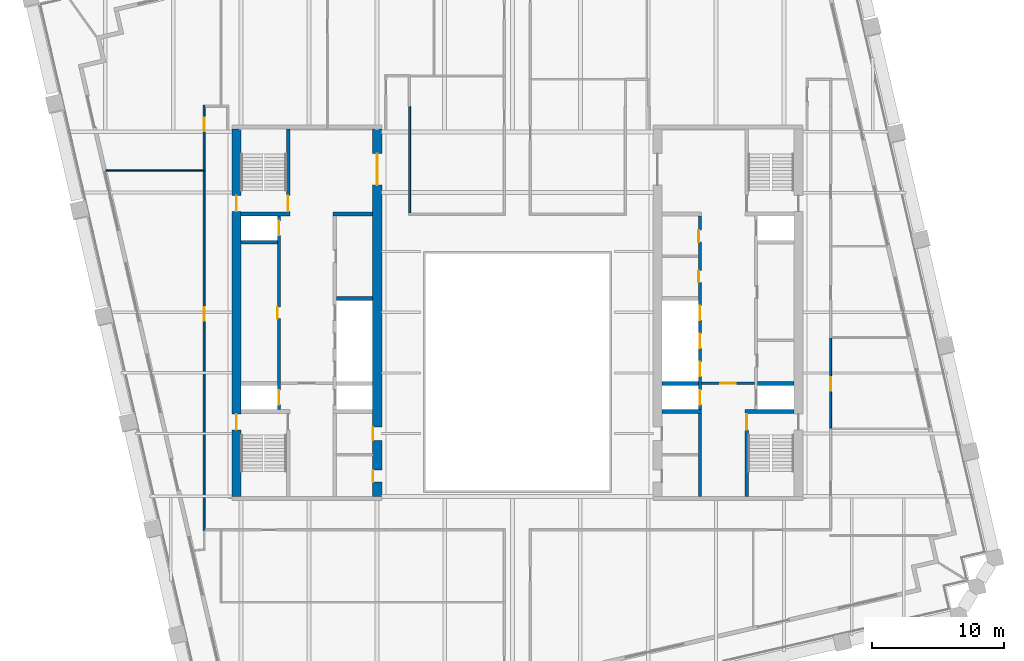
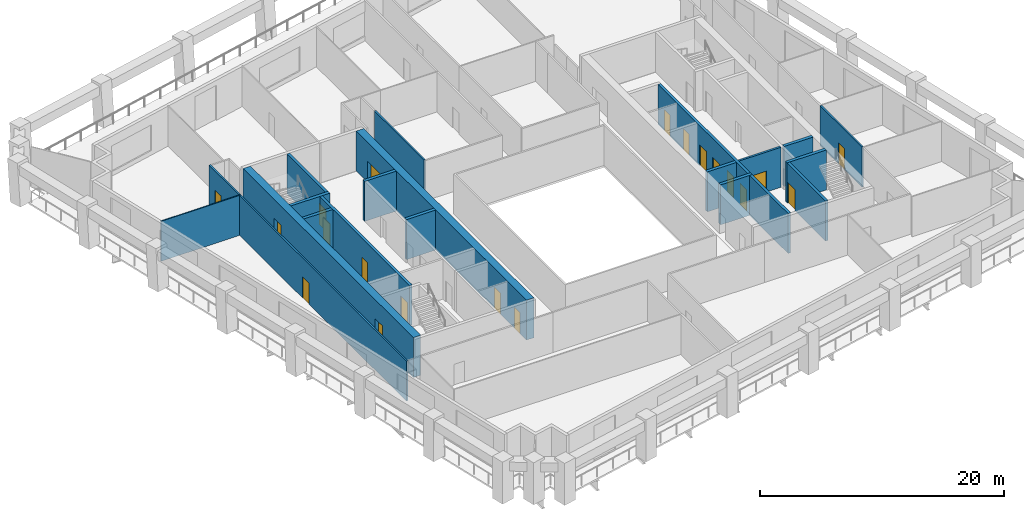
# One storey, part 5 of 10: 20 doors, 20 walls, 20 openings.
"""IFC4 building model written with IfcOpenShell, lengths in metres."""

from ifc_helpers import new_model, si_unit, direction, frame, frame_2d, origin, place, context, subcontext, project, spatial, rectangle, extrude, material, layer, layer_set, type_object, element, fill, save


model = new_model("IFC4")

# Units and contexts
model_context = context("Model", 3, precision=1e-05, world=origin(), true_north=direction((0.0, 1.0)))
body_context = subcontext(model_context, "Body", "Model", "MODEL_VIEW")
ifc_project = project(units=[si_unit("LENGTHUNIT", "METRE"), si_unit("AREAUNIT", "SQUARE_METRE"), si_unit("VOLUMEUNIT", "CUBIC_METRE"), si_unit("PLANEANGLEUNIT", "RADIAN"), si_unit("MASSUNIT", "GRAM", prefix="KILO")], contexts=[model_context])

# Site, building, storey
site_placement = place(None, origin())
site = spatial("IfcSite", under=ifc_project, at=site_placement, CompositionType="ELEMENT")
building_placement = place(site_placement, origin())
building = spatial("IfcBuilding", under=site, at=building_placement, Name="Ogive Exchange Tower", CompositionType="ELEMENT")
storey_placement = place(building_placement, frame((0.0, 0.0, 205.199951171875)))
storey = spatial("IfcBuildingStorey", under=building, at=storey_placement, Name="L45", CompositionType="ELEMENT", Elevation=205.199951171875)

# Wall
ifc_material_1 = material(Name="Gypsum board partition")
ifc_layer_1 = layer(ifc_material_1, 0.300048828125)
ifc_layer_set_1 = layer_set([ifc_layer_1], Name="Core room partition 300 gypsum")
wall_type_1 = type_object("IfcWallType", Name="Core room partition 300 gypsum", PredefinedType="PARTITIONING", material=ifc_layer_set_1)
wall_1_placement = place(storey_placement, frame((-14.0, 19.0, 0.0), z_axis=(0.0, 0.0, 1.0), x_axis=(1.0, 0.0, 0.0)))
element("IfcWall", 1, at=wall_1_placement, inside=storey, type_object=wall_type_1, Name="W row B room end wall 7", PredefinedType="PARTITIONING", context=body_context, shape_type="SweptSolid", body=[
    extrude(rectangle(XDim=3.0, YDim=0.300048828125, at=frame_2d((1.5, 0.0))), origin(), (0.0, 0.0, 1.0), 4.0),
])

# Wall, opening, door
ifc_material_2 = material(Name="Fire partition EI 60 150")
ifc_layer_2 = layer(ifc_material_2, 0.14990234375)
ifc_layer_set_2 = layer_set([ifc_layer_2], Name="Fire partition EI 60 150")
wall_type_2 = type_object("IfcWallType", Name="Fire partition EI 60 150", PredefinedType="PARTITIONING", material=ifc_layer_set_2)
wall_2_placement = place(storey_placement, frame((-23.800048828125, -5.074951171875, 0.0), z_axis=(0.0, 0.0, 1.0), x_axis=(0.0, 1.0, 0.0)))
wall_2 = element("IfcWall", 2, at=wall_2_placement, inside=storey, type_object=wall_type_2, Name="L45-PWL-003", PredefinedType="PARTITIONING", context=body_context, shape_type="SweptSolid", body=[
    extrude(rectangle(XDim=27.3349609375, YDim=0.14990234375, at=frame_2d((13.66748046875, 0.0))), origin(), (0.0, 0.0, 1.0), 4.0),
])
opening_1_placement = place(wall_2_placement, frame((15.985107421875, 0.0, 0.0)))
opening_1 = element("IfcOpeningElement", 3, at=opening_1_placement, cuts=wall_2, Name="Opening L45-I05", PredefinedType="OPENING", context=body_context, shape_type="SweptSolid", body=[
    extrude(rectangle(XDim=1.0, YDim=2.10009765625, at=frame_2d((0.5, 1.050048828125))), frame((0.0, 0.0849609375, 0.0), z_axis=(0.0, -1.0, 0.0), x_axis=(1.0, 0.0, 0.0)), (0.0, 0.0, 1.0), 0.169921875),
])
ifc_material_3 = material(Name="Fire door FD 30S 1000 x 2100")
door_type_1 = type_object("IfcDoorType", Name="Fire door FD 30S 1000 x 2100", OperationType="NOTDEFINED", PredefinedType="DOOR", material=ifc_material_3)
door_1_placement = place(opening_1_placement, origin())
door_1 = element("IfcDoor", 4, at=door_1_placement, inside=storey, type_object=door_type_1, Name="L45-IDR-005", ObjectType="DT3", OperationType="SINGLE_SWING_RIGHT", OverallHeight=2.10009765625, OverallWidth=1.0, PredefinedType="DOOR", context=body_context, shape_type="SweptSolid", body=[
    extrude(rectangle(XDim=1.0, YDim=2.10009765625, at=frame_2d((0.5, 1.050048828125))), frame((0.0, 0.02490234375, 0.0), z_axis=(0.0, -1.0, 0.0), x_axis=(1.0, 0.0, 0.0)), (0.0, 0.0, 1.0), 0.050048828125),
])
fill(opening_1, door_1)

wall_3_placement = place(storey_placement, frame((-23.800048828125, 22.360107421875, 0.0), z_axis=(0.0, 0.0, 1.0), x_axis=(0.0, 1.0, 0.0)))
wall_3 = element("IfcWall", 5, at=wall_3_placement, inside=storey, type_object=wall_type_2, Name="L45-PWL-004", PredefinedType="PARTITIONING", context=body_context, shape_type="SweptSolid", body=[
    extrude(rectangle(XDim=4.914794921875, YDim=0.14990234375, at=frame_2d((2.45751953125, 0.0))), origin(), (0.0, 0.0, 1.0), 4.0),
])
opening_2_placement = place(wall_3_placement, frame((2.93994140625, 0.0, 0.0)))
opening_2 = element("IfcOpeningElement", 6, at=opening_2_placement, cuts=wall_3, Name="Opening L45-I06", PredefinedType="OPENING", context=body_context, shape_type="SweptSolid", body=[
    extrude(rectangle(XDim=1.0, YDim=2.10009765625, at=frame_2d((0.5, 1.050048828125))), frame((0.0, 0.0849609375, 0.0), z_axis=(0.0, -1.0, 0.0), x_axis=(1.0, 0.0, 0.0)), (0.0, 0.0, 1.0), 0.169921875),
])
door_2_placement = place(opening_2_placement, origin())
door_2 = element("IfcDoor", 7, at=door_2_placement, inside=storey, type_object=door_type_1, Name="L45-IDR-006", ObjectType="DT3", OperationType="SINGLE_SWING_RIGHT", OverallHeight=2.10009765625, OverallWidth=1.0, PredefinedType="DOOR", context=body_context, shape_type="SweptSolid", body=[
    extrude(rectangle(XDim=1.0, YDim=2.10009765625, at=frame_2d((0.5, 1.050048828125))), frame((0.0, 0.02490234375, 0.0), z_axis=(0.0, -1.0, 0.0), x_axis=(1.0, 0.0, 0.0)), (0.0, 0.0, 1.0), 0.050048828125),
])
fill(opening_2, door_2)

# Wall
wall_4_placement = place(storey_placement, frame((-8.199951171875, 27.199951171875, 0.0), z_axis=(0.0, 0.0, 1.0), x_axis=(0.0, -1.0, 0.0)))
element("IfcWall", 8, at=wall_4_placement, inside=storey, type_object=wall_type_2, Name="L45-PWL-020", PredefinedType="PARTITIONING", context=body_context, shape_type="SweptSolid", body=[
    extrude(rectangle(XDim=8.125, YDim=0.14990234375, at=frame_2d((4.0625, 0.0))), origin(), (0.0, 0.0, 1.0), 4.0),
])

# Wall, opening, door
wall_5_placement = place(storey_placement, frame((23.800048828125, 9.570068359375, 0.0), z_axis=(0.0, 0.0, 1.0), x_axis=(0.0, -1.0, 0.0)))
wall_5 = element("IfcWall", 9, at=wall_5_placement, inside=storey, type_object=wall_type_2, Name="L45-PWL-051", PredefinedType="PARTITIONING", context=body_context, shape_type="SweptSolid", body=[
    extrude(rectangle(XDim=6.830078125, YDim=0.14990234375, at=frame_2d((3.4150390625, 0.0))), origin(), (0.0, 0.0, 1.0), 4.0),
])
opening_3_placement = place(wall_5_placement, frame((2.97998046875, 0.0, 0.0)))
opening_3 = element("IfcOpeningElement", 10, at=opening_3_placement, cuts=wall_5, Name="Opening L45-I14", PredefinedType="OPENING", context=body_context, shape_type="SweptSolid", body=[
    extrude(rectangle(XDim=1.0, YDim=2.10009765625, at=frame_2d((0.5, 1.050048828125))), frame((0.0, 0.0849609375, 0.0), z_axis=(0.0, -1.0, 0.0), x_axis=(1.0, 0.0, 0.0)), (0.0, 0.0, 1.0), 0.169921875),
])
door_3_placement = place(opening_3_placement, origin())
door_3 = element("IfcDoor", 11, at=door_3_placement, inside=storey, type_object=door_type_1, Name="L45-IDR-014", ObjectType="DT3", OperationType="SINGLE_SWING_LEFT", OverallHeight=2.10009765625, OverallWidth=1.0, PredefinedType="DOOR", context=body_context, shape_type="SweptSolid", body=[
    extrude(rectangle(XDim=1.0, YDim=2.10009765625, at=frame_2d((0.5, 1.050048828125))), frame((0.0, 0.02490234375, 0.0), z_axis=(0.0, -1.0, 0.0), x_axis=(1.0, 0.0, 0.0)), (0.0, 0.0, 1.0), 0.050048828125),
])
fill(opening_3, door_3)

# Wall
ifc_material_4 = material(Name="Partition 100 gypsum")
ifc_layer_3 = layer(ifc_material_4, 0.10009765625)
ifc_layer_set_3 = layer_set([ifc_layer_3], Name="Partition 100 gypsum")
wall_type_3 = type_object("IfcWallType", Name="Partition 100 gypsum", PredefinedType="PARTITIONING", material=ifc_layer_set_3)
wall_6_placement = place(storey_placement, frame((-31.2890625, 22.31005859375, 0.0), z_axis=(0.0, 0.0, 1.0), x_axis=(1.0, 0.0, 0.0)))
element("IfcWall", 12, at=wall_6_placement, inside=storey, type_object=wall_type_3, Name="L45-PWL-001", PredefinedType="PARTITIONING", context=body_context, shape_type="SweptSolid", body=[
    extrude(rectangle(XDim=7.56396484375, YDim=0.10009765625, at=frame_2d((3.781982421875, 0.0))), origin(), (0.0, 0.0, 1.0), 4.0),
])

# Wall, opening, door
ifc_material_5 = material(Name="Concrete C70/85", Category="concrete")
ifc_layer_4 = layer(ifc_material_5, 0.199951171875)
ifc_layer_set_4 = layer_set([ifc_layer_4], Name="RC core wall 200 C70/85")
wall_type_4 = type_object("IfcWallType", Name="RC core wall 200 C70/85", PredefinedType="SHEAR", material=ifc_layer_set_4)
wall_7_placement = place(storey_placement, frame((14.0, 6.142822265625, 0.0), z_axis=(0.0, 0.0, 1.0), x_axis=(1.0, 0.0, 0.0)))
wall_7 = element("IfcWall", 13, at=wall_7_placement, inside=storey, type_object=wall_type_4, Name="E firefighting lobby wall", PredefinedType="SHEAR", context=body_context, shape_type="SweptSolid", body=[
    extrude(rectangle(XDim=4.0, YDim=0.199951171875, at=frame_2d((2.0, 0.0))), origin(), (0.0, 0.0, 1.0), 4.0),
])
opening_4_placement = place(wall_7_placement, frame((1.39990234375, 0.0, 0.0)))
opening_4 = element("IfcOpeningElement", 14, at=opening_4_placement, cuts=wall_7, Name="Opening L45-C27", PredefinedType="OPENING", context=body_context, shape_type="SweptSolid", body=[
    extrude(rectangle(XDim=1.199951171875, YDim=2.10009765625, at=frame_2d((0.60009765625, 1.050048828125))), frame((0.0, 0.10986328125, 0.0), z_axis=(0.0, -1.0, 0.0), x_axis=(1.0, 0.0, 0.0)), (0.0, 0.0, 1.0), 0.219970703125),
])
ifc_material_6 = material(Name="Steel fire door", Category="steel")
door_type_2 = type_object("IfcDoorType", Name="Firefighting lobby door FD60 1200 x 2100", OperationType="NOTDEFINED", PredefinedType="DOOR", material=ifc_material_6)
door_4_placement = place(opening_4_placement, frame((1.199951171875, 0.0, 0.0), z_axis=(0.0, 0.0, 1.0), x_axis=(-1.0, 0.0, 0.0)))
door_4 = element("IfcDoor", 15, at=door_4_placement, inside=storey, type_object=door_type_2, Name="Firefighting lobby door", ObjectType="CD3", OperationType="SINGLE_SWING_LEFT", OverallHeight=2.10009765625, OverallWidth=1.199951171875, PredefinedType="DOOR", context=body_context, shape_type="SweptSolid", body=[
    extrude(rectangle(XDim=1.199951171875, YDim=2.10009765625, at=frame_2d((0.60009765625, 1.050048828125))), frame((0.0, 0.02490234375, 0.0), z_axis=(0.0, -1.0, 0.0), x_axis=(1.0, 0.0, 0.0)), (0.0, 0.0, 1.0), 0.050048828125),
])
fill(opening_4, door_4)

ifc_layer_5 = layer(ifc_material_5, 0.25)
ifc_layer_set_5 = layer_set([ifc_layer_5], Name="RC core wall 250 C70/85")
wall_type_5 = type_object("IfcWallType", Name="RC core wall 250 C70/85", PredefinedType="SHEAR", material=ifc_layer_set_5)
wall_8_placement = place(storey_placement, frame((-17.425048828125, 19.14990234375, 0.0), z_axis=(0.0, 0.0, 1.0), x_axis=(0.0, 1.0, 0.0)))
wall_8 = element("IfcWall", 16, at=wall_8_placement, inside=storey, type_object=wall_type_5, Name="W stair N front wall", PredefinedType="SHEAR", context=body_context, shape_type="SweptSolid", body=[
    extrude(rectangle(XDim=6.300048828125, YDim=0.25, at=frame_2d((3.14990234375, 0.0))), origin(), (0.0, 0.0, 1.0), 4.0),
])
opening_5_placement = place(wall_8_placement, frame((0.050048828125, 0.0, 0.0)))
opening_5 = element("IfcOpeningElement", 17, at=opening_5_placement, cuts=wall_8, Name="Opening L45-C13", PredefinedType="OPENING", context=body_context, shape_type="SweptSolid", body=[
    extrude(rectangle(XDim=1.199951171875, YDim=2.10009765625, at=frame_2d((0.60009765625, 1.050048828125))), frame((0.0, 0.135009765625, 0.0), z_axis=(0.0, -1.0, 0.0), x_axis=(1.0, 0.0, 0.0)), (0.0, 0.0, 1.0), 0.27001953125),
])
door_type_3 = type_object("IfcDoorType", Name="Stair door FD90 1200 x 2100", OperationType="NOTDEFINED", PredefinedType="DOOR", material=ifc_material_6)
door_5_placement = place(opening_5_placement, origin())
door_5 = element("IfcDoor", 18, at=door_5_placement, inside=storey, type_object=door_type_3, Name="Stair door", ObjectType="CD5", OperationType="SINGLE_SWING_RIGHT", OverallHeight=2.10009765625, OverallWidth=1.199951171875, PredefinedType="DOOR", context=body_context, shape_type="SweptSolid", body=[
    extrude(rectangle(XDim=1.199951171875, YDim=2.10009765625, at=frame_2d((0.60009765625, 1.050048828125))), frame((0.0, 0.02490234375, 0.0), z_axis=(0.0, -1.0, 0.0), x_axis=(1.0, 0.0, 0.0)), (0.0, 0.0, 1.0), 0.050048828125),
])
fill(opening_5, door_5)

# Wall, openings, doors
wall_9_placement = place(storey_placement, frame((-18.125, 4.14990234375, 0.0), z_axis=(0.0, 0.0, 1.0), x_axis=(0.0, 1.0, 0.0)))
wall_9 = element("IfcWall", 19, at=wall_9_placement, inside=storey, type_object=wall_type_5, Name="W row A front wall", PredefinedType="SHEAR", context=body_context, shape_type="SweptSolid", body=[
    extrude(rectangle(XDim=14.7001953125, YDim=0.25, at=frame_2d((7.35009765625, 0.0))), origin(), (0.0, 0.0, 1.0), 4.0),
])
opening_6_placement = place(wall_9_placement, frame((6.89990234375, 0.0, 0.0)))
opening_6 = element("IfcOpeningElement", 20, at=opening_6_placement, cuts=wall_9, Name="Opening L45-C01", PredefinedType="OPENING", context=body_context, shape_type="SweptSolid", body=[
    extrude(rectangle(XDim=0.89990234375, YDim=2.10009765625, at=frame_2d((0.449951171875, 1.050048828125))), frame((0.0, 0.135009765625, 0.0), z_axis=(0.0, -1.0, 0.0), x_axis=(1.0, 0.0, 0.0)), (0.0, 0.0, 1.0), 0.27001953125),
])
opening_7_placement = place(wall_9_placement, frame((0.371337890625, 0.0, 0.0)))
opening_7 = element("IfcOpeningElement", 21, at=opening_7_placement, cuts=wall_9, Name="Opening L45-C02", PredefinedType="OPENING", context=body_context, shape_type="SweptSolid", body=[
    extrude(rectangle(XDim=1.10009765625, YDim=2.10009765625, at=frame_2d((0.550048828125, 1.050048828125))), frame((0.0, 0.135009765625, 0.0), z_axis=(0.0, -1.0, 0.0), x_axis=(1.0, 0.0, 0.0)), (0.0, 0.0, 1.0), 0.27001953125),
])
opening_8_placement = place(wall_9_placement, frame((13.228515625, 0.0, 0.0)))
opening_8 = element("IfcOpeningElement", 22, at=opening_8_placement, cuts=wall_9, Name="Opening L45-C03", PredefinedType="OPENING", context=body_context, shape_type="SweptSolid", body=[
    extrude(rectangle(XDim=1.10009765625, YDim=2.10009765625, at=frame_2d((0.550048828125, 1.050048828125))), frame((0.0, 0.135009765625, 0.0), z_axis=(0.0, -1.0, 0.0), x_axis=(1.0, 0.0, 0.0)), (0.0, 0.0, 1.0), 0.27001953125),
])
ifc_material_7 = material(Name="Timber fire door", Category="wood")
door_type_4 = type_object("IfcDoorType", Name="Core room door FD30S 900 x 2100", OperationType="NOTDEFINED", PredefinedType="DOOR", material=ifc_material_7)
door_6_placement = place(opening_6_placement, origin())
door_6 = element("IfcDoor", 23, at=door_6_placement, inside=storey, type_object=door_type_4, Name="Core room door", ObjectType="CD6", OperationType="SINGLE_SWING_LEFT", OverallHeight=2.10009765625, OverallWidth=0.89990234375, PredefinedType="DOOR", context=body_context, shape_type="SweptSolid", body=[
    extrude(rectangle(XDim=0.89990234375, YDim=2.10009765625, at=frame_2d((0.449951171875, 1.050048828125))), frame((0.0, 0.125, 0.0), z_axis=(0.0, -1.0, 0.0), x_axis=(1.0, 0.0, 0.0)), (0.0, 0.0, 1.0), 0.050048828125),
])
fill(opening_6, door_6)
ifc_material_8 = material(Name="Stainless steel", Category="steel")
door_type_5 = type_object("IfcDoorType", Name="Lift landing door FD90 1100 x 2100", OperationType="SLIDING_TO_LEFT", PredefinedType="DOOR", material=ifc_material_8)
door_7_placement = place(opening_7_placement, origin())
door_7 = element("IfcDoor", 24, at=door_7_placement, inside=storey, type_object=door_type_5, Name="Lift landing door FF1", ObjectType="LD", OperationType="SLIDING_TO_LEFT", OverallHeight=2.10009765625, OverallWidth=1.10009765625, PredefinedType="DOOR", context=body_context, shape_type="SweptSolid", body=[
    extrude(rectangle(XDim=1.10009765625, YDim=2.10009765625, at=frame_2d((0.550048828125, 1.050048828125))), frame((0.0, 0.02490234375, 0.0), z_axis=(0.0, -1.0, 0.0), x_axis=(1.0, 0.0, 0.0)), (0.0, 0.0, 1.0), 0.050048828125),
])
fill(opening_7, door_7)
door_8_placement = place(opening_8_placement, origin())
door_8 = element("IfcDoor", 25, at=door_8_placement, inside=storey, type_object=door_type_5, Name="Lift landing door W-SH2", ObjectType="LD", OperationType="SLIDING_TO_LEFT", OverallHeight=2.10009765625, OverallWidth=1.10009765625, PredefinedType="DOOR", context=body_context, shape_type="SweptSolid", body=[
    extrude(rectangle(XDim=1.10009765625, YDim=2.10009765625, at=frame_2d((0.550048828125, 1.050048828125))), frame((0.0, 0.02490234375, 0.0), z_axis=(0.0, -1.0, 0.0), x_axis=(1.0, 0.0, 0.0)), (0.0, 0.0, 1.0), 0.050048828125),
])
fill(opening_8, door_8)

# Wall, opening, door
wall_10_placement = place(storey_placement, frame((17.425048828125, -2.449951171875, 0.0), z_axis=(0.0, 0.0, 1.0), x_axis=(0.0, 1.0, 0.0)))
wall_10 = element("IfcWall", 26, at=wall_10_placement, inside=storey, type_object=wall_type_5, Name="E stair S front wall", PredefinedType="SHEAR", context=body_context, shape_type="SweptSolid", body=[
    extrude(rectangle(XDim=6.300048828125, YDim=0.25, at=frame_2d((3.14990234375, 0.0))), origin(), (0.0, 0.0, 1.0), 4.0),
])
opening_9_placement = place(wall_10_placement, frame((5.050048828125, 0.0, 0.0)))
opening_9 = element("IfcOpeningElement", 27, at=opening_9_placement, cuts=wall_10, Name="Opening L45-C29", PredefinedType="OPENING", context=body_context, shape_type="SweptSolid", body=[
    extrude(rectangle(XDim=1.199951171875, YDim=2.10009765625, at=frame_2d((0.60009765625, 1.050048828125))), frame((0.0, 0.135009765625, 0.0), z_axis=(0.0, -1.0, 0.0), x_axis=(1.0, 0.0, 0.0)), (0.0, 0.0, 1.0), 0.27001953125),
])
door_9_placement = place(opening_9_placement, frame((1.199951171875, 0.0, 0.0), z_axis=(0.0, 0.0, 1.0), x_axis=(-1.0, 0.0, 0.0)))
door_9 = element("IfcDoor", 28, at=door_9_placement, inside=storey, type_object=door_type_3, Name="Stair door", ObjectType="CD5", OperationType="SINGLE_SWING_RIGHT", OverallHeight=2.10009765625, OverallWidth=1.199951171875, PredefinedType="DOOR", context=body_context, shape_type="SweptSolid", body=[
    extrude(rectangle(XDim=1.199951171875, YDim=2.10009765625, at=frame_2d((0.60009765625, 1.050048828125))), frame((0.0, 0.02490234375, 0.0), z_axis=(0.0, -1.0, 0.0), x_axis=(1.0, 0.0, 0.0)), (0.0, 0.0, 1.0), 0.050048828125),
])
fill(opening_9, door_9)

# Wall, openings, doors
wall_11_placement = place(storey_placement, frame((13.875, -2.449951171875, 0.0), z_axis=(0.0, 0.0, 1.0), x_axis=(0.0, 1.0, 0.0)))
wall_11 = element("IfcWall", 29, at=wall_11_placement, inside=storey, type_object=wall_type_5, Name="E row B front wall", PredefinedType="SHEAR", context=body_context, shape_type="SweptSolid", body=[
    extrude(rectangle(XDim=21.300048828125, YDim=0.25, at=frame_2d((10.64990234375, 0.0))), origin(), (0.0, 0.0, 1.0), 4.0),
])
opening_10_placement = place(wall_11_placement, frame((16.2607421875, 0.0, 0.0)))
opening_10 = element("IfcOpeningElement", 30, at=opening_10_placement, cuts=wall_11, Name="Opening L45-C21", PredefinedType="OPENING", context=body_context, shape_type="SweptSolid", body=[
    extrude(rectangle(XDim=0.89990234375, YDim=2.10009765625, at=frame_2d((0.449951171875, 1.050048828125))), frame((0.0, 0.135009765625, 0.0), z_axis=(0.0, -1.0, 0.0), x_axis=(1.0, 0.0, 0.0)), (0.0, 0.0, 1.0), 0.27001953125),
])
opening_11_placement = place(wall_11_placement, frame((19.324951171875, 0.0, 0.0)))
opening_11 = element("IfcOpeningElement", 31, at=opening_11_placement, cuts=wall_11, Name="Opening L45-C22", PredefinedType="OPENING", context=body_context, shape_type="SweptSolid", body=[
    extrude(rectangle(XDim=0.89990234375, YDim=2.10009765625, at=frame_2d((0.449951171875, 1.050048828125))), frame((0.0, 0.135009765625, 0.0), z_axis=(0.0, -1.0, 0.0), x_axis=(1.0, 0.0, 0.0)), (0.0, 0.0, 1.0), 0.27001953125),
])
opening_12_placement = place(wall_11_placement, frame((6.971435546875, 0.0, 0.0)))
opening_12 = element("IfcOpeningElement", 32, at=opening_12_placement, cuts=wall_11, Name="Opening L45-C23", PredefinedType="OPENING", context=body_context, shape_type="SweptSolid", body=[
    extrude(rectangle(XDim=1.10009765625, YDim=2.10009765625, at=frame_2d((0.550048828125, 1.050048828125))), frame((0.0, 0.135009765625, 0.0), z_axis=(0.0, -1.0, 0.0), x_axis=(1.0, 0.0, 0.0)), (0.0, 0.0, 1.0), 0.27001953125),
])
opening_13_placement = place(wall_11_placement, frame((9.1142578125, 0.0, 0.0)))
opening_13 = element("IfcOpeningElement", 33, at=opening_13_placement, cuts=wall_11, Name="Opening L45-C24", PredefinedType="OPENING", context=body_context, shape_type="SweptSolid", body=[
    extrude(rectangle(XDim=1.10009765625, YDim=2.10009765625, at=frame_2d((0.550048828125, 1.050048828125))), frame((0.0, 0.135009765625, 0.0), z_axis=(0.0, -1.0, 0.0), x_axis=(1.0, 0.0, 0.0)), (0.0, 0.0, 1.0), 0.27001953125),
])
opening_14_placement = place(wall_11_placement, frame((11.257080078125, 0.0, 0.0)))
opening_14 = element("IfcOpeningElement", 34, at=opening_14_placement, cuts=wall_11, Name="Opening L45-C25", PredefinedType="OPENING", context=body_context, shape_type="SweptSolid", body=[
    extrude(rectangle(XDim=1.10009765625, YDim=2.10009765625, at=frame_2d((0.550048828125, 1.050048828125))), frame((0.0, 0.135009765625, 0.0), z_axis=(0.0, -1.0, 0.0), x_axis=(1.0, 0.0, 0.0)), (0.0, 0.0, 1.0), 0.27001953125),
])
opening_15_placement = place(wall_11_placement, frame((13.39990234375, 0.0, 0.0)))
opening_15 = element("IfcOpeningElement", 35, at=opening_15_placement, cuts=wall_11, Name="Opening L45-C26", PredefinedType="OPENING", context=body_context, shape_type="SweptSolid", body=[
    extrude(rectangle(XDim=1.10009765625, YDim=2.10009765625, at=frame_2d((0.550048828125, 1.050048828125))), frame((0.0, 0.135009765625, 0.0), z_axis=(0.0, -1.0, 0.0), x_axis=(1.0, 0.0, 0.0)), (0.0, 0.0, 1.0), 0.27001953125),
])
door_10_placement = place(opening_11_placement, origin())
door_10 = element("IfcDoor", 36, at=door_10_placement, inside=storey, type_object=door_type_4, Name="Core room door", ObjectType="CD6", OperationType="SINGLE_SWING_LEFT", OverallHeight=2.10009765625, OverallWidth=0.89990234375, PredefinedType="DOOR", context=body_context, shape_type="SweptSolid", body=[
    extrude(rectangle(XDim=0.89990234375, YDim=2.10009765625, at=frame_2d((0.449951171875, 1.050048828125))), frame((0.0, 0.125, 0.0), z_axis=(0.0, -1.0, 0.0), x_axis=(1.0, 0.0, 0.0)), (0.0, 0.0, 1.0), 0.050048828125),
])
fill(opening_11, door_10)
door_11_placement = place(opening_12_placement, origin())
door_11 = element("IfcDoor", 37, at=door_11_placement, inside=storey, type_object=door_type_5, Name="Lift landing door SV2", ObjectType="LD", OperationType="SLIDING_TO_LEFT", OverallHeight=2.10009765625, OverallWidth=1.10009765625, PredefinedType="DOOR", context=body_context, shape_type="SweptSolid", body=[
    extrude(rectangle(XDim=1.10009765625, YDim=2.10009765625, at=frame_2d((0.550048828125, 1.050048828125))), frame((0.0, 0.02490234375, 0.0), z_axis=(0.0, -1.0, 0.0), x_axis=(1.0, 0.0, 0.0)), (0.0, 0.0, 1.0), 0.050048828125),
])
fill(opening_12, door_11)
door_12_placement = place(opening_13_placement, origin())
door_12 = element("IfcDoor", 38, at=door_12_placement, inside=storey, type_object=door_type_5, Name="Lift landing door E-M1", ObjectType="LD", OperationType="SLIDING_TO_LEFT", OverallHeight=2.10009765625, OverallWidth=1.10009765625, PredefinedType="DOOR", context=body_context, shape_type="SweptSolid", body=[
    extrude(rectangle(XDim=1.10009765625, YDim=2.10009765625, at=frame_2d((0.550048828125, 1.050048828125))), frame((0.0, 0.02490234375, 0.0), z_axis=(0.0, -1.0, 0.0), x_axis=(1.0, 0.0, 0.0)), (0.0, 0.0, 1.0), 0.050048828125),
])
fill(opening_13, door_12)
door_13_placement = place(opening_14_placement, origin())
door_13 = element("IfcDoor", 39, at=door_13_placement, inside=storey, type_object=door_type_5, Name="Lift landing door E-M2", ObjectType="LD", OperationType="SLIDING_TO_LEFT", OverallHeight=2.10009765625, OverallWidth=1.10009765625, PredefinedType="DOOR", context=body_context, shape_type="SweptSolid", body=[
    extrude(rectangle(XDim=1.10009765625, YDim=2.10009765625, at=frame_2d((0.550048828125, 1.050048828125))), frame((0.0, 0.02490234375, 0.0), z_axis=(0.0, -1.0, 0.0), x_axis=(1.0, 0.0, 0.0)), (0.0, 0.0, 1.0), 0.050048828125),
])
fill(opening_14, door_13)
door_14_placement = place(opening_15_placement, origin())
door_14 = element("IfcDoor", 40, at=door_14_placement, inside=storey, type_object=door_type_5, Name="Lift landing door E-M3", ObjectType="LD", OperationType="SLIDING_TO_LEFT", OverallHeight=2.10009765625, OverallWidth=1.10009765625, PredefinedType="DOOR", context=body_context, shape_type="SweptSolid", body=[
    extrude(rectangle(XDim=1.10009765625, YDim=2.10009765625, at=frame_2d((0.550048828125, 1.050048828125))), frame((0.0, 0.02490234375, 0.0), z_axis=(0.0, -1.0, 0.0), x_axis=(1.0, 0.0, 0.0)), (0.0, 0.0, 1.0), 0.050048828125),
])
fill(opening_15, door_14)
door_type_6 = type_object("IfcDoorType", Name="Riser door FD60 900 x 2100", OperationType="NOTDEFINED", PredefinedType="DOOR", material=ifc_material_6)
door_15_placement = place(opening_10_placement, origin())
door_15 = element("IfcDoor", 41, at=door_15_placement, inside=storey, type_object=door_type_6, Name="Riser door", ObjectType="CD2", OperationType="SINGLE_SWING_LEFT", OverallHeight=2.10009765625, OverallWidth=0.89990234375, PredefinedType="DOOR", context=body_context, shape_type="SweptSolid", body=[
    extrude(rectangle(XDim=0.89990234375, YDim=2.10009765625, at=frame_2d((0.449951171875, 1.050048828125))), frame((0.0, 0.125, 0.0), z_axis=(0.0, -1.0, 0.0), x_axis=(1.0, 0.0, 0.0)), (0.0, 0.0, 1.0), 0.050048828125),
])
fill(opening_10, door_15)

# Walls
ifc_layer_6 = layer(ifc_material_5, 0.300048828125)
ifc_layer_set_6 = layer_set([ifc_layer_6], Name="RC core wall 300 C70/85")
wall_type_6 = type_object("IfcWallType", Name="RC core wall 300 C70/85", PredefinedType="SHEAR", material=ifc_layer_set_6)
wall_12_placement = place(storey_placement, frame((-21.0, 19.0, 0.0), z_axis=(0.0, 0.0, 1.0), x_axis=(1.0, 0.0, 0.0)))
element("IfcWall", 42, at=wall_12_placement, inside=storey, type_object=wall_type_6, Name="W stair N south wall", PredefinedType="SHEAR", context=body_context, shape_type="SweptSolid", body=[
    extrude(rectangle(XDim=3.699951171875, YDim=0.300048828125, at=frame_2d((1.85009765625, 0.0))), origin(), (0.0, 0.0, 1.0), 4.0),
])
for number, where, z_axis, x_axis, name in (
    (43, (-21.0, 16.857177734375, 0.0), (0.0, 0.0, 1.0), (1.0, 0.0, 0.0), "W row A divider 6"),
    (44, (-13.75, 12.5712890625, 0.0), (0.0, 0.0, 1.0), (1.0, 0.0, 0.0), "W row B divider 4"),
):
    element("IfcWall", number, at=place(storey_placement, frame(where, z_axis=z_axis, x_axis=x_axis)), inside=storey, type_object=wall_type_6, Name=name, PredefinedType="SHEAR", context=body_context, shape_type="SweptSolid", body=[
        extrude(rectangle(XDim=2.75, YDim=0.300048828125, at=frame_2d((1.375, 0.0))), origin(), (0.0, 0.0, 1.0), 4.0),
    ])
wall_13_placement = place(storey_placement, frame((17.300048828125, 4.0, 0.0), z_axis=(0.0, 0.0, 1.0), x_axis=(1.0, 0.0, 0.0)))
element("IfcWall", 45, at=wall_13_placement, inside=storey, type_object=wall_type_6, Name="E stair S north wall", PredefinedType="SHEAR", context=body_context, shape_type="SweptSolid", body=[
    extrude(rectangle(XDim=3.699951171875, YDim=0.300048828125, at=frame_2d((1.85009765625, 0.0))), origin(), (0.0, 0.0, 1.0), 4.0),
])
wall_14_placement = place(storey_placement, frame((18.25, 6.142822265625, 0.0), z_axis=(0.0, 0.0, 1.0), x_axis=(1.0, 0.0, 0.0)))
element("IfcWall", 46, at=wall_14_placement, inside=storey, type_object=wall_type_6, Name="E row A divider 1", PredefinedType="SHEAR", context=body_context, shape_type="SweptSolid", body=[
    extrude(rectangle(XDim=2.75, YDim=0.300048828125, at=frame_2d((1.375, 0.0))), origin(), (0.0, 0.0, 1.0), 4.0),
])
wall_15_placement = place(storey_placement, frame((11.0, 4.0, 0.0), z_axis=(0.0, 0.0, 1.0), x_axis=(1.0, 0.0, 0.0)))
element("IfcWall", 47, at=wall_15_placement, inside=storey, type_object=wall_type_6, Name="E row B divider 0", PredefinedType="SHEAR", context=body_context, shape_type="SweptSolid", body=[
    extrude(rectangle(XDim=3.0, YDim=0.300048828125, at=frame_2d((1.5, 0.0))), origin(), (0.0, 0.0, 1.0), 4.0),
])
wall_16_placement = place(storey_placement, frame((11.0, 6.142822265625, 0.0), z_axis=(0.0, 0.0, 1.0), x_axis=(1.0, 0.0, 0.0)))
element("IfcWall", 48, at=wall_16_placement, inside=storey, type_object=wall_type_6, Name="E row B divider 1", PredefinedType="SHEAR", context=body_context, shape_type="SweptSolid", body=[
    extrude(rectangle(XDim=2.75, YDim=0.300048828125, at=frame_2d((1.375, 0.0))), origin(), (0.0, 0.0, 1.0), 4.0),
])

# Wall, openings, doors
ifc_layer_7 = layer(ifc_material_5, 0.699951171875)
ifc_layer_set_7 = layer_set([ifc_layer_7], Name="RC core wall 700 C70/85")
wall_type_7 = type_object("IfcWallType", Name="RC core wall 700 C70/85", PredefinedType="SHEAR", material=ifc_layer_set_7)
wall_17_placement = place(storey_placement, frame((-21.35009765625, -2.449951171875, 0.0), z_axis=(0.0, 0.0, 1.0), x_axis=(0.0, 1.0, 0.0)))
wall_17 = element("IfcWall", 49, at=wall_17_placement, inside=storey, type_object=wall_type_7, Name="W outer wall", PredefinedType="SHEAR", context=body_context, shape_type="SweptSolid", body=[
    extrude(rectangle(XDim=27.89990234375, YDim=0.699951171875, at=frame_2d((13.949951171875, 0.0))), origin(), (0.0, 0.0, 1.0), 4.0),
])
opening_16_placement = place(wall_17_placement, frame((5.050048828125, 0.0, 0.0)))
opening_16 = element("IfcOpeningElement", 50, at=opening_16_placement, cuts=wall_17, Name="Opening L45-C12", PredefinedType="OPENING", context=body_context, shape_type="SweptSolid", body=[
    extrude(rectangle(XDim=1.199951171875, YDim=2.10009765625, at=frame_2d((0.60009765625, 1.050048828125))), frame((0.0, 0.35986328125, 0.0), z_axis=(0.0, -1.0, 0.0), x_axis=(1.0, 0.0, 0.0)), (0.0, 0.0, 1.0), 0.719970703125),
])
opening_17_placement = place(wall_17_placement, frame((21.64990234375, 0.0, 0.0)))
opening_17 = element("IfcOpeningElement", 51, at=opening_17_placement, cuts=wall_17, Name="Opening L45-C14", PredefinedType="OPENING", context=body_context, shape_type="SweptSolid", body=[
    extrude(rectangle(XDim=1.199951171875, YDim=2.10009765625, at=frame_2d((0.60009765625, 1.050048828125))), frame((0.0, 0.35986328125, 0.0), z_axis=(0.0, -1.0, 0.0), x_axis=(1.0, 0.0, 0.0)), (0.0, 0.0, 1.0), 0.719970703125),
])
door_16_placement = place(opening_16_placement, frame((1.199951171875, 0.0, 0.0), z_axis=(0.0, 0.0, 1.0), x_axis=(-1.0, 0.0, 0.0)))
door_16 = element("IfcDoor", 52, at=door_16_placement, inside=storey, type_object=door_type_3, Name="Stair door", ObjectType="CD5", OperationType="SINGLE_SWING_RIGHT", OverallHeight=2.10009765625, OverallWidth=1.199951171875, PredefinedType="DOOR", context=body_context, shape_type="SweptSolid", body=[
    extrude(rectangle(XDim=1.199951171875, YDim=2.10009765625, at=frame_2d((0.60009765625, 1.050048828125))), frame((0.0, 0.02490234375, 0.0), z_axis=(0.0, -1.0, 0.0), x_axis=(1.0, 0.0, 0.0)), (0.0, 0.0, 1.0), 0.050048828125),
])
fill(opening_16, door_16)
door_17_placement = place(opening_17_placement, frame((1.199951171875, 0.0, 0.0), z_axis=(0.0, 0.0, 1.0), x_axis=(-1.0, 0.0, 0.0)))
door_17 = element("IfcDoor", 53, at=door_17_placement, inside=storey, type_object=door_type_3, Name="Stair door", ObjectType="CD5", OperationType="SINGLE_SWING_LEFT", OverallHeight=2.10009765625, OverallWidth=1.199951171875, PredefinedType="DOOR", context=body_context, shape_type="SweptSolid", body=[
    extrude(rectangle(XDim=1.199951171875, YDim=2.10009765625, at=frame_2d((0.60009765625, 1.050048828125))), frame((0.0, 0.02490234375, 0.0), z_axis=(0.0, -1.0, 0.0), x_axis=(1.0, 0.0, 0.0)), (0.0, 0.0, 1.0), 0.050048828125),
])
fill(opening_17, door_17)

wall_18_placement = place(storey_placement, frame((-10.64990234375, -2.449951171875, 0.0), z_axis=(0.0, 0.0, 1.0), x_axis=(0.0, 1.0, 0.0)))
wall_18 = element("IfcWall", 54, at=wall_18_placement, inside=storey, type_object=wall_type_7, Name="W inner wall", PredefinedType="SHEAR", context=body_context, shape_type="SweptSolid", body=[
    extrude(rectangle(XDim=27.89990234375, YDim=0.699951171875, at=frame_2d((13.949951171875, 0.0))), origin(), (0.0, 0.0, 1.0), 4.0),
])
opening_18_placement = place(wall_18_placement, frame((23.64990234375, 0.0, 0.0)))
opening_18 = element("IfcOpeningElement", 55, at=opening_18_placement, cuts=wall_18, Name="Opening L45-C10", PredefinedType="OPENING", context=body_context, shape_type="SweptSolid", body=[
    extrude(rectangle(XDim=2.39990234375, YDim=2.10009765625, at=frame_2d((1.199951171875, 1.050048828125))), frame((0.0, 0.35986328125, 0.0), z_axis=(0.0, -1.0, 0.0), x_axis=(1.0, 0.0, 0.0)), (0.0, 0.0, 1.0), 0.719970703125),
])
opening_19_placement = place(wall_18_placement, frame((1.08740234375, 0.0, 0.0)))
opening_19 = element("IfcOpeningElement", 56, at=opening_19_placement, cuts=wall_18, Name="Opening L45-C15", PredefinedType="OPENING", context=body_context, shape_type="SweptSolid", body=[
    extrude(rectangle(XDim=0.89990234375, YDim=2.10009765625, at=frame_2d((0.449951171875, 1.050048828125))), frame((0.0, 0.35986328125, 0.0), z_axis=(0.0, -1.0, 0.0), x_axis=(1.0, 0.0, 0.0)), (0.0, 0.0, 1.0), 0.719970703125),
])
opening_20_placement = place(wall_18_placement, frame((4.262451171875, 0.0, 0.0)))
opening_20 = element("IfcOpeningElement", 57, at=opening_20_placement, cuts=wall_18, Name="Opening L45-C16", PredefinedType="OPENING", context=body_context, shape_type="SweptSolid", body=[
    extrude(rectangle(XDim=1.0, YDim=2.10009765625, at=frame_2d((0.5, 1.050048828125))), frame((0.0, 0.35986328125, 0.0), z_axis=(0.0, -1.0, 0.0), x_axis=(1.0, 0.0, 0.0)), (0.0, 0.0, 1.0), 0.719970703125),
])
door_type_7 = type_object("IfcDoorType", Name="Accessible WC door FD30S 1000 x 2100", OperationType="NOTDEFINED", PredefinedType="DOOR", material=ifc_material_7)
door_18_placement = place(opening_20_placement, origin())
door_18 = element("IfcDoor", 58, at=door_18_placement, inside=storey, type_object=door_type_7, Name="Accessible WC door", ObjectType="CD7", OperationType="SINGLE_SWING_LEFT", OverallHeight=2.10009765625, OverallWidth=1.0, PredefinedType="DOOR", context=body_context, shape_type="SweptSolid", body=[
    extrude(rectangle(XDim=1.0, YDim=2.10009765625, at=frame_2d((0.5, 1.050048828125))), frame((0.0, 0.35009765625, 0.0), z_axis=(0.0, -1.0, 0.0), x_axis=(1.0, 0.0, 0.0)), (0.0, 0.0, 1.0), 0.050048828125),
])
fill(opening_20, door_18)
door_19_placement = place(opening_19_placement, origin())
door_19 = element("IfcDoor", 59, at=door_19_placement, inside=storey, type_object=door_type_4, Name="Core room door", ObjectType="CD6", OperationType="SINGLE_SWING_LEFT", OverallHeight=2.10009765625, OverallWidth=0.89990234375, PredefinedType="DOOR", context=body_context, shape_type="SweptSolid", body=[
    extrude(rectangle(XDim=0.89990234375, YDim=2.10009765625, at=frame_2d((0.449951171875, 1.050048828125))), frame((0.0, 0.35009765625, 0.0), z_axis=(0.0, -1.0, 0.0), x_axis=(1.0, 0.0, 0.0)), (0.0, 0.0, 1.0), 0.050048828125),
])
fill(opening_19, door_19)
ifc_material_9 = material(Name="Glazed steel fire door", Category="steel")
door_type_8 = type_object("IfcDoorType", Name="Lift lobby double door FD60 2400 x 2100", OperationType="DOUBLE_DOOR_SINGLE_SWING", PredefinedType="DOOR", material=ifc_material_9)
door_20_placement = place(opening_18_placement, frame((2.39990234375, 0.0, 0.0), z_axis=(0.0, 0.0, 1.0), x_axis=(-1.0, 0.0, 0.0)))
door_20 = element("IfcDoor", 60, at=door_20_placement, inside=storey, type_object=door_type_8, Name="Lift lobby double door", ObjectType="CD4", OperationType="DOUBLE_DOOR_SINGLE_SWING", OverallHeight=2.10009765625, OverallWidth=2.39990234375, PredefinedType="DOOR", context=body_context, shape_type="SweptSolid", body=[
    extrude(rectangle(XDim=2.39990234375, YDim=2.10009765625, at=frame_2d((1.199951171875, 1.050048828125))), frame((0.0, 0.02490234375, 0.0), z_axis=(0.0, -1.0, 0.0), x_axis=(1.0, 0.0, 0.0)), (0.0, 0.0, 1.0), 0.050048828125),
])
fill(opening_18, door_20)

save(model, "model.ifc")
